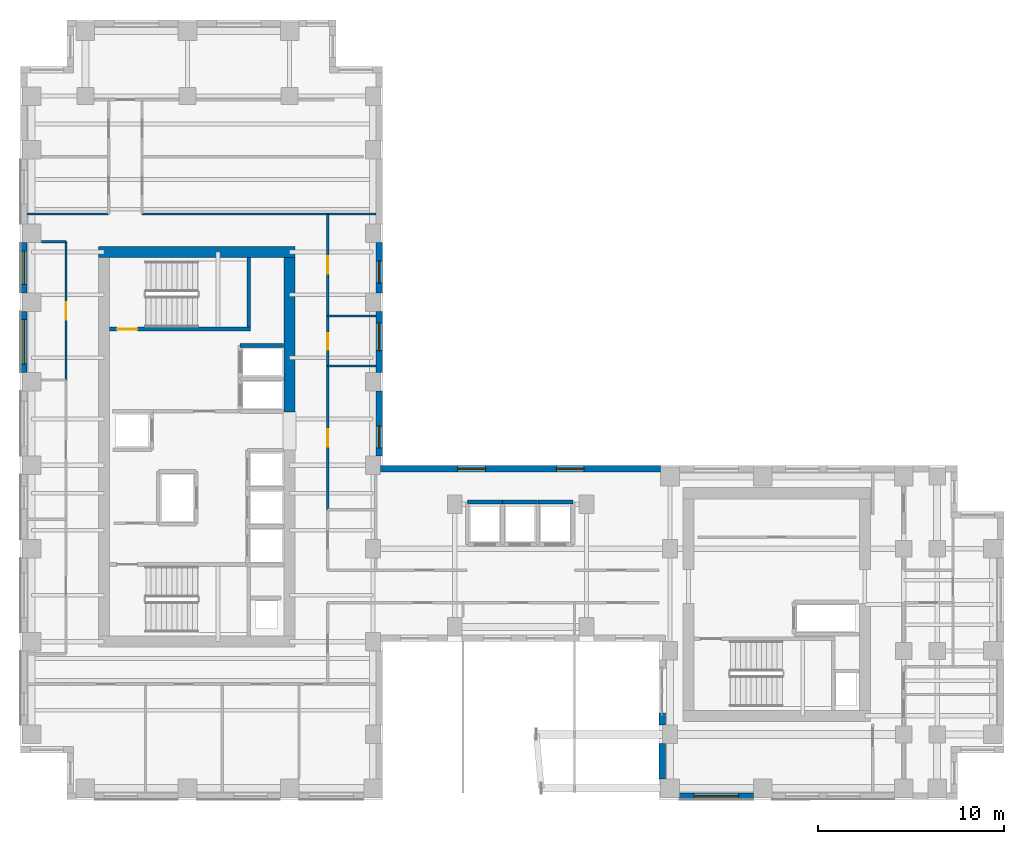
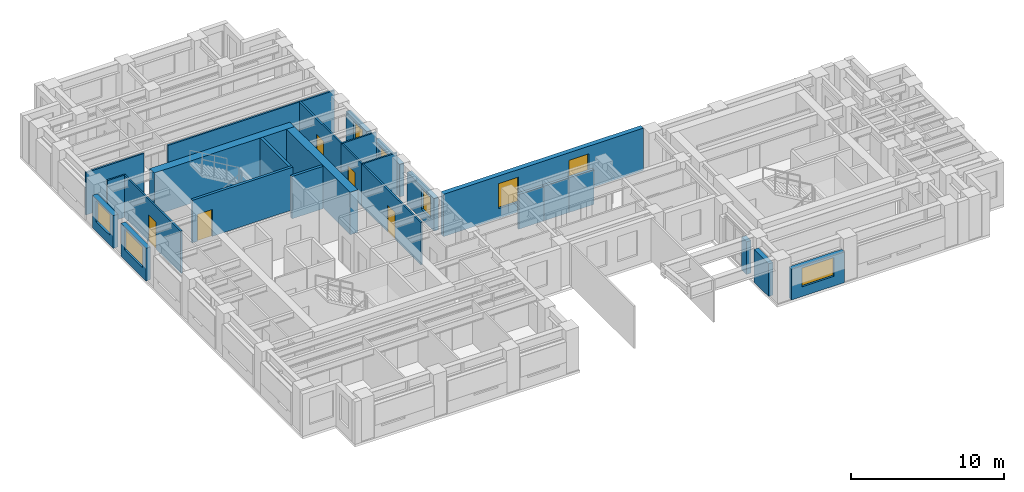
# One storey, part 8 of 13: 26 walls, 8 windows, 5 doors, 13 openings.
"""IFC4 building model written with IfcOpenShell, lengths in metres."""

from ifc_helpers import new_model, si_unit, direction, frame, frame_2d, origin, place, context, subcontext, project, spatial, rectangle, extrude, source, transform, mapped, material, layer, layer_set, type_object, element, fill, save


model = new_model("IFC4")

# Units and contexts
model_context = context("Model", 3, precision=1e-05, world=origin(), true_north=direction((0.0, 1.0)))
body_context = subcontext(model_context, "Body", "Model", "MODEL_VIEW")
ifc_project = project(units=[si_unit("LENGTHUNIT", "METRE"), si_unit("AREAUNIT", "SQUARE_METRE"), si_unit("VOLUMEUNIT", "CUBIC_METRE"), si_unit("PLANEANGLEUNIT", "RADIAN"), si_unit("MASSUNIT", "GRAM", prefix="KILO")], contexts=[model_context])

# Site, building, storey
site_placement = place(None, origin())
site = spatial("IfcSite", under=ifc_project, at=site_placement, CompositionType="ELEMENT")
building_placement = place(site_placement, origin())
building = spatial("IfcBuilding", under=site, at=building_placement, Name="Kharzan Plaza Tower", CompositionType="ELEMENT")
storey_placement = place(building_placement, frame((0.0, 0.0, 189.89990234375)))
storey = spatial("IfcBuildingStorey", under=building, at=storey_placement, Name="L51", CompositionType="ELEMENT", Elevation=189.89990234375)

# Wall, opening, window
ifc_material_1 = material(Name="Concrete C40/50", Category="concrete")
ifc_layer_1 = layer(ifc_material_1, 0.35009765625)
ifc_layer_set_1 = layer_set([ifc_layer_1], Name="Concrete C40/50")
wall_type_1 = type_object("IfcWallType", Name="WL-EXT-MAS-Z3", PredefinedType="SOLIDWALL", material=ifc_layer_set_1)
wall_1_placement = place(storey_placement, frame((0.175048828125, 30.001953125, 0.0), z_axis=(0.0, 0.0, 1.0), x_axis=(0.0, -1.0, 0.0)))
wall_1 = element("IfcWall", 1, at=wall_1_placement, inside=storey, type_object=wall_type_1, Name="L51 Masonry-Frame Exterior Wall 12", PredefinedType="SOLIDWALL", context=body_context, shape_type="SweptSolid", body=[
    extrude(rectangle(XDim=2.703857421875, YDim=0.35009765625, at=frame_2d((1.35205078125, 0.0))), origin(), (0.0, 0.0, 1.0), 2.612060546875),
])
opening_1_placement = place(wall_1_placement, frame((0.451904296875, 0.0, 0.780029296875)))
opening_1 = element("IfcOpeningElement", 2, at=opening_1_placement, cuts=wall_1, Name="Opening W1", PredefinedType="OPENING", context=body_context, shape_type="SweptSolid", body=[
    extrude(rectangle(XDim=1.800048828125, YDim=1.652099609375, at=frame_2d((0.89990234375, 0.826171875))), frame((0.0, 0.18505859375, 0.0), z_axis=(0.0, -1.0, 0.0), x_axis=(1.0, 0.0, 0.0)), (0.0, 0.0, 1.0), 0.3701171875),
])
ifc_material_2 = material(Name="Low-E Double Glazing", Category="glass")
window_type_1 = type_object("IfcWindowType", Name="WN-REC-1800x2100", PartitioningType="SINGLE_PANEL", PredefinedType="WINDOW", material=ifc_material_2)
shared_shape_1 = source(origin(), body_context, "Body", "SweptSolid", [
    extrude(rectangle(XDim=1.800048828125, YDim=1.652099609375, at=frame_2d((0.89990234375, 0.826171875))), frame((0.0, 0.030029296875, 0.0), z_axis=(0.0, -1.0, 0.0), x_axis=(1.0, 0.0, 0.0)), (0.0, 0.0, 1.0), 0.06005859375),
])
window_1_placement = place(opening_1_placement, origin())
window_1 = element("IfcWindow", 3, at=window_1_placement, inside=storey, type_object=window_type_1, Name="L51 Recessed Solar-Control Window 12-1", OverallHeight=1.652099609375, OverallWidth=1.800048828125, PartitioningType="SINGLE_PANEL", PredefinedType="WINDOW", context=body_context, shape_type="MappedRepresentation", body=[
    mapped(shared_shape_1, transform((0.0, 0.0, 0.0), x_axis=(1.0, 0.0, 0.0), y_axis=(0.0, 1.0, 0.0), z_axis=(0.0, 0.0, 1.0))),
])
fill(opening_1, window_1)

wall_2_placement = place(storey_placement, frame((0.175048828125, 26.302001953125, 0.0), z_axis=(0.0, 0.0, 1.0), x_axis=(0.0, -1.0, 0.0)))
wall_2 = element("IfcWall", 4, at=wall_2_placement, inside=storey, type_object=wall_type_1, Name="L51 Masonry-Frame Exterior Wall 13", PredefinedType="SOLIDWALL", context=body_context, shape_type="SweptSolid", body=[
    extrude(rectangle(XDim=3.303955078125, YDim=0.35009765625, at=frame_2d((1.65185546875, 0.0))), origin(), (0.0, 0.0, 1.0), 2.612060546875),
])
opening_2_placement = place(wall_2_placement, frame((0.451904296875, 0.0, 0.780029296875)))
opening_2 = element("IfcOpeningElement", 5, at=opening_2_placement, cuts=wall_2, Name="Opening W2", PredefinedType="OPENING", context=body_context, shape_type="SweptSolid", body=[
    extrude(rectangle(XDim=2.39990234375, YDim=1.652099609375, at=frame_2d((1.199951171875, 0.826171875))), frame((0.0, 0.18505859375, 0.0), z_axis=(0.0, -1.0, 0.0), x_axis=(1.0, 0.0, 0.0)), (0.0, 0.0, 1.0), 0.3701171875),
])
window_type_2 = type_object("IfcWindowType", Name="WN-REC-2400x2100", PartitioningType="SINGLE_PANEL", PredefinedType="WINDOW", material=ifc_material_2)
shared_shape_2 = source(origin(), body_context, "Body", "SweptSolid", [
    extrude(rectangle(XDim=2.39990234375, YDim=1.652099609375, at=frame_2d((1.199951171875, 0.826171875))), frame((0.0, 0.030029296875, 0.0), z_axis=(0.0, -1.0, 0.0), x_axis=(1.0, 0.0, 0.0)), (0.0, 0.0, 1.0), 0.06005859375),
])
window_2_placement = place(opening_2_placement, origin())
window_2 = element("IfcWindow", 6, at=window_2_placement, inside=storey, type_object=window_type_2, Name="L51 Wide Recessed Solar-Control Window 13-1", OverallHeight=1.652099609375, OverallWidth=2.39990234375, PartitioningType="SINGLE_PANEL", PredefinedType="WINDOW", context=body_context, shape_type="MappedRepresentation", body=[
    mapped(shared_shape_2, transform((0.0, 0.0, 0.0), x_axis=(1.0, 0.0, 0.0), y_axis=(0.0, 1.0, 0.0), z_axis=(0.0, 0.0, 1.0))),
])
fill(opening_2, window_2)

wall_3_placement = place(storey_placement, frame((35.498046875, 0.175048828125, 0.0), z_axis=(0.0, 0.0, 1.0), x_axis=(1.0, 0.0, 0.0)))
wall_3 = element("IfcWall", 7, at=wall_3_placement, inside=storey, type_object=wall_type_1, Name="L51 Masonry-Frame Exterior Wall 32", PredefinedType="SOLIDWALL", context=body_context, shape_type="SweptSolid", body=[
    extrude(rectangle(XDim=4.00390625, YDim=0.35009765625, at=frame_2d((2.001953125, 0.0))), origin(), (0.0, 0.0, 1.0), 2.447998046875),
])
opening_3_placement = place(wall_3_placement, frame((0.802001953125, 0.0, 0.780029296875)))
opening_3 = element("IfcOpeningElement", 8, at=opening_3_placement, cuts=wall_3, Name="Opening W2", PredefinedType="OPENING", context=body_context, shape_type="SweptSolid", body=[
    extrude(rectangle(XDim=2.39990234375, YDim=1.488037109375, at=frame_2d((1.199951171875, 0.744140625))), frame((0.0, 0.18505859375, 0.0), z_axis=(0.0, -1.0, 0.0), x_axis=(1.0, 0.0, 0.0)), (0.0, 0.0, 1.0), 0.3701171875),
])
shared_shape_3 = source(origin(), body_context, "Body", "SweptSolid", [
    extrude(rectangle(XDim=2.39990234375, YDim=1.488037109375, at=frame_2d((1.199951171875, 0.744140625))), frame((0.0, 0.030029296875, 0.0), z_axis=(0.0, -1.0, 0.0), x_axis=(1.0, 0.0, 0.0)), (0.0, 0.0, 1.0), 0.06005859375),
])
window_3_placement = place(opening_3_placement, origin())
window_3 = element("IfcWindow", 9, at=window_3_placement, inside=storey, type_object=window_type_2, Name="L51 Wide Recessed Solar-Control Window 32-1", OverallHeight=1.488037109375, OverallWidth=2.39990234375, PartitioningType="SINGLE_PANEL", PredefinedType="WINDOW", context=body_context, shape_type="MappedRepresentation", body=[
    mapped(shared_shape_3, transform((0.0, 0.0, 0.0), x_axis=(1.0, 0.0, 0.0), y_axis=(0.0, 1.0, 0.0), z_axis=(0.0, 0.0, 1.0))),
])
fill(opening_3, window_3)

# Wall, openings, windows
wall_4_placement = place(storey_placement, frame((34.501953125, 17.824951171875, 0.0), z_axis=(0.0, 0.0, 1.0), x_axis=(-1.0, 0.0, 0.0)))
wall_4 = element("IfcWall", 10, at=wall_4_placement, inside=storey, type_object=wall_type_1, Name="L51 Masonry-Frame Exterior Wall 47", PredefinedType="SOLIDWALL", context=body_context, shape_type="SweptSolid", body=[
    extrude(rectangle(XDim=15.10400390625, YDim=0.35009765625, at=frame_2d((7.552001953125, 0.0))), origin(), (0.0, 0.0, 1.0), 3.385009765625),
])
opening_4_placement = place(wall_4_placement, frame((4.131103515625, 0.0, 0.780029296875)))
opening_4 = element("IfcOpeningElement", 11, at=opening_4_placement, cuts=wall_4, Name="Opening W5", PredefinedType="OPENING", context=body_context, shape_type="SweptSolid", body=[
    extrude(rectangle(XDim=1.5, YDim=2.0, at=frame_2d((0.75, 1.0))), frame((0.0, 0.18505859375, 0.0), z_axis=(0.0, -1.0, 0.0), x_axis=(1.0, 0.0, 0.0)), (0.0, 0.0, 1.0), 0.3701171875),
])
opening_5_placement = place(wall_4_placement, frame((9.4423828125, 0.0, 0.780029296875)))
opening_5 = element("IfcOpeningElement", 12, at=opening_5_placement, cuts=wall_4, Name="Opening W5", PredefinedType="OPENING", context=body_context, shape_type="SweptSolid", body=[
    extrude(rectangle(XDim=1.5, YDim=2.0, at=frame_2d((0.75, 1.0))), frame((0.0, 0.18505859375, 0.0), z_axis=(0.0, -1.0, 0.0), x_axis=(1.0, 0.0, 0.0)), (0.0, 0.0, 1.0), 0.3701171875),
])
window_type_3 = type_object("IfcWindowType", Name="WN-SLT-1500x2000", PartitioningType="SINGLE_PANEL", PredefinedType="WINDOW", material=ifc_material_2)
shared_shape_4 = source(origin(), body_context, "Body", "SweptSolid", [
    extrude(rectangle(XDim=1.5, YDim=2.0, at=frame_2d((0.75, 1.0))), frame((0.0, 0.030029296875, 0.0), z_axis=(0.0, -1.0, 0.0), x_axis=(1.0, 0.0, 0.0)), (0.0, 0.0, 1.0), 0.06005859375),
])
window_4_placement = place(opening_4_placement, origin())
window_4 = element("IfcWindow", 13, at=window_4_placement, inside=storey, type_object=window_type_3, Name="L51 Recessed Solar-Control Window 47-1", OverallHeight=2.0, OverallWidth=1.5, PartitioningType="SINGLE_PANEL", PredefinedType="WINDOW", context=body_context, shape_type="MappedRepresentation", body=[
    mapped(shared_shape_4, transform((0.0, 0.0, 0.0), x_axis=(1.0, 0.0, 0.0), y_axis=(0.0, 1.0, 0.0), z_axis=(0.0, 0.0, 1.0))),
])
fill(opening_4, window_4)
window_5_placement = place(opening_5_placement, origin())
window_5 = element("IfcWindow", 14, at=window_5_placement, inside=storey, type_object=window_type_3, Name="L51 Recessed Solar-Control Window 47-2", OverallHeight=2.0, OverallWidth=1.5, PartitioningType="SINGLE_PANEL", PredefinedType="WINDOW", context=body_context, shape_type="MappedRepresentation", body=[
    mapped(shared_shape_4, transform((0.0, 0.0, 0.0), x_axis=(1.0, 0.0, 0.0), y_axis=(0.0, 1.0, 0.0), z_axis=(0.0, 0.0, 1.0))),
])
fill(opening_5, window_5)

# Wall, opening, window
wall_5_placement = place(storey_placement, frame((19.324951171875, 18.498046875, 0.0), z_axis=(0.0, 0.0, 1.0), x_axis=(0.0, 1.0, 0.0)))
wall_5 = element("IfcWall", 15, at=wall_5_placement, inside=storey, type_object=wall_type_1, Name="L51 Masonry-Frame Exterior Wall 48", PredefinedType="SOLIDWALL", context=body_context, shape_type="SweptSolid", body=[
    extrude(rectangle(XDim=3.50390625, YDim=0.35009765625, at=frame_2d((1.751953125, 0.0))), origin(), (0.0, 0.0, 1.0), 2.612060546875),
])
opening_6_placement = place(wall_5_placement, frame((0.4326171875, 0.0, 0.780029296875)))
opening_6 = element("IfcOpeningElement", 16, at=opening_6_placement, cuts=wall_5, Name="Opening W3", PredefinedType="OPENING", context=body_context, shape_type="SweptSolid", body=[
    extrude(rectangle(XDim=1.199951171875, YDim=1.652099609375, at=frame_2d((0.60009765625, 0.826171875))), frame((0.0, 0.18505859375, 0.0), z_axis=(0.0, -1.0, 0.0), x_axis=(1.0, 0.0, 0.0)), (0.0, 0.0, 1.0), 0.3701171875),
])
window_type_4 = type_object("IfcWindowType", Name="WN-REC-1200x2100", PartitioningType="SINGLE_PANEL", PredefinedType="WINDOW", material=ifc_material_2)
shared_shape_5 = source(origin(), body_context, "Body", "SweptSolid", [
    extrude(rectangle(XDim=1.199951171875, YDim=1.652099609375, at=frame_2d((0.60009765625, 0.826171875))), frame((0.0, 0.030029296875, 0.0), z_axis=(0.0, -1.0, 0.0), x_axis=(1.0, 0.0, 0.0)), (0.0, 0.0, 1.0), 0.06005859375),
])
window_6_placement = place(opening_6_placement, origin())
window_6 = element("IfcWindow", 17, at=window_6_placement, inside=storey, type_object=window_type_4, Name="L51 Recessed Solar-Control Window 48-1", OverallHeight=1.652099609375, OverallWidth=1.199951171875, PartitioningType="SINGLE_PANEL", PredefinedType="WINDOW", context=body_context, shape_type="MappedRepresentation", body=[
    mapped(shared_shape_5, transform((0.0, 0.0, 0.0), x_axis=(1.0, 0.0, 0.0), y_axis=(0.0, 1.0, 0.0), z_axis=(0.0, 0.0, 1.0))),
])
fill(opening_6, window_6)

wall_6_placement = place(storey_placement, frame((19.324951171875, 22.998046875, 0.0), z_axis=(0.0, 0.0, 1.0), x_axis=(0.0, 1.0, 0.0)))
wall_6 = element("IfcWall", 18, at=wall_6_placement, inside=storey, type_object=wall_type_1, Name="L51 Masonry-Frame Exterior Wall 49", PredefinedType="SOLIDWALL", context=body_context, shape_type="SweptSolid", body=[
    extrude(rectangle(XDim=3.303955078125, YDim=0.35009765625, at=frame_2d((1.65185546875, 0.0))), origin(), (0.0, 0.0, 1.0), 2.612060546875),
])
opening_7_placement = place(wall_6_placement, frame((1.180419921875, 0.0, 0.780029296875)))
opening_7 = element("IfcOpeningElement", 19, at=opening_7_placement, cuts=wall_6, Name="Opening W5", PredefinedType="OPENING", context=body_context, shape_type="SweptSolid", body=[
    extrude(rectangle(XDim=1.5, YDim=1.652099609375, at=frame_2d((0.75, 0.826171875))), frame((0.0, 0.18505859375, 0.0), z_axis=(0.0, -1.0, 0.0), x_axis=(1.0, 0.0, 0.0)), (0.0, 0.0, 1.0), 0.3701171875),
])
shared_shape_6 = source(origin(), body_context, "Body", "SweptSolid", [
    extrude(rectangle(XDim=1.5, YDim=1.652099609375, at=frame_2d((0.75, 0.826171875))), frame((0.0, 0.030029296875, 0.0), z_axis=(0.0, -1.0, 0.0), x_axis=(1.0, 0.0, 0.0)), (0.0, 0.0, 1.0), 0.06005859375),
])
window_7_placement = place(opening_7_placement, origin())
window_7 = element("IfcWindow", 20, at=window_7_placement, inside=storey, type_object=window_type_3, Name="L51 Recessed Solar-Control Window 49-1", OverallHeight=1.652099609375, OverallWidth=1.5, PartitioningType="SINGLE_PANEL", PredefinedType="WINDOW", context=body_context, shape_type="MappedRepresentation", body=[
    mapped(shared_shape_6, transform((0.0, 0.0, 0.0), x_axis=(1.0, 0.0, 0.0), y_axis=(0.0, 1.0, 0.0), z_axis=(0.0, 0.0, 1.0))),
])
fill(opening_7, window_7)

wall_7_placement = place(storey_placement, frame((19.324951171875, 27.298095703125, 0.0), z_axis=(0.0, 0.0, 1.0), x_axis=(0.0, 1.0, 0.0)))
wall_7 = element("IfcWall", 21, at=wall_7_placement, inside=storey, type_object=wall_type_1, Name="L51 Masonry-Frame Exterior Wall 50", PredefinedType="SOLIDWALL", context=body_context, shape_type="SweptSolid", body=[
    extrude(rectangle(XDim=2.703857421875, YDim=0.35009765625, at=frame_2d((1.35205078125, 0.0))), origin(), (0.0, 0.0, 1.0), 2.612060546875),
])
opening_8_placement = place(wall_7_placement, frame((0.523681640625, 0.0, 0.780029296875)))
opening_8 = element("IfcOpeningElement", 22, at=opening_8_placement, cuts=wall_7, Name="Opening W3", PredefinedType="OPENING", context=body_context, shape_type="SweptSolid", body=[
    extrude(rectangle(XDim=1.199951171875, YDim=1.652099609375, at=frame_2d((0.60009765625, 0.826171875))), frame((0.0, 0.18505859375, 0.0), z_axis=(0.0, -1.0, 0.0), x_axis=(1.0, 0.0, 0.0)), (0.0, 0.0, 1.0), 0.3701171875),
])
window_8_placement = place(opening_8_placement, origin())
window_8 = element("IfcWindow", 23, at=window_8_placement, inside=storey, type_object=window_type_4, Name="L51 Recessed Solar-Control Window 50-1", OverallHeight=1.652099609375, OverallWidth=1.199951171875, PartitioningType="SINGLE_PANEL", PredefinedType="WINDOW", context=body_context, shape_type="MappedRepresentation", body=[
    mapped(shared_shape_5, transform((0.0, 0.0, 0.0), x_axis=(1.0, 0.0, 0.0), y_axis=(0.0, 1.0, 0.0), z_axis=(0.0, 0.0, 1.0))),
])
fill(opening_8, window_8)

# Wall, opening, door
ifc_material_3 = material(Name="Fire-Rated Gypsum Board Partition", Category="gypsum")
ifc_layer_2 = layer(ifc_material_3, 0.125)
ifc_layer_set_2 = layer_set([ifc_layer_2], Name="Fire-Rated Gypsum Board Partition")
wall_type_2 = type_object("IfcWallType", Name="WL-INT-PART-125", PredefinedType="PARTITIONING", material=ifc_layer_set_2)
wall_8_placement = place(storey_placement, frame((16.550048828125, 15.60009765625, 0.0), z_axis=(0.0, 0.0, 1.0), x_axis=(0.0, 1.0, 0.0)))
wall_8 = element("IfcWall", 24, at=wall_8_placement, inside=storey, type_object=wall_type_2, Name="L51 Interior Partition SH-AEWN2", PredefinedType="PARTITIONING", context=body_context, shape_type="SweptSolid", body=[
    extrude(rectangle(XDim=7.75, YDim=0.125, at=frame_2d((3.875, 0.0))), origin(), (0.0, 0.0, 1.0), 3.385009765625),
])
opening_9_placement = place(wall_8_placement, frame((3.39990234375, 0.0, 0.0)))
opening_9 = element("IfcOpeningElement", 25, at=opening_9_placement, cuts=wall_8, Name="Opening OD1", PredefinedType="OPENING", context=body_context, shape_type="SweptSolid", body=[
    extrude(rectangle(XDim=0.949951171875, YDim=2.14990234375, at=frame_2d((0.47509765625, 1.074951171875))), frame((0.0, 0.072509765625, 0.0), z_axis=(0.0, -1.0, 0.0), x_axis=(1.0, 0.0, 0.0)), (0.0, 0.0, 1.0), 0.14501953125),
])
ifc_material_4 = material(Name="Acoustic Solid-Core Stained Oak", Category="timber")
door_type_1 = type_object("IfcDoorType", Name="DR-OFF-SINGLE", OperationType="NOTDEFINED", PredefinedType="DOOR", material=ifc_material_4)
shared_shape_7 = source(origin(), body_context, "Body", "SweptSolid", [
    extrude(rectangle(XDim=0.949951171875, YDim=2.14990234375, at=frame_2d((0.47509765625, 1.074951171875))), frame((0.0, 0.02490234375, 0.0), z_axis=(0.0, -1.0, 0.0), x_axis=(1.0, 0.0, 0.0)), (0.0, 0.0, 1.0), 0.050048828125),
])
door_1_placement = place(opening_9_placement, origin())
door_1 = element("IfcDoor", 26, at=door_1_placement, inside=storey, type_object=door_type_1, Name="L51 Slot Studio Door", OperationType="SINGLE_SWING_RIGHT", OverallHeight=2.14990234375, OverallWidth=0.949951171875, PredefinedType="DOOR", context=body_context, shape_type="MappedRepresentation", body=[
    mapped(shared_shape_7, transform((0.0, 0.0, 0.0), x_axis=(1.0, 0.0, 0.0), y_axis=(0.0, 1.0, 0.0), z_axis=(0.0, 0.0, 1.0))),
])
fill(opening_9, door_1)

wall_9_placement = place(storey_placement, frame((16.550048828125, 26.050048828125, 0.0), z_axis=(0.0, 0.0, 1.0), x_axis=(0.0, 1.0, 0.0)))
wall_9 = element("IfcWall", 27, at=wall_9_placement, inside=storey, type_object=wall_type_2, Name="L51 Interior Partition SH-AEWN3", PredefinedType="PARTITIONING", context=body_context, shape_type="SweptSolid", body=[
    extrude(rectangle(XDim=5.5, YDim=0.125, at=frame_2d((2.75, 0.0))), origin(), (0.0, 0.0, 1.0), 3.385009765625),
])
opening_10_placement = place(wall_9_placement, frame((2.27490234375, 0.0, 0.0)))
opening_10 = element("IfcOpeningElement", 28, at=opening_10_placement, cuts=wall_9, Name="Opening OD1", PredefinedType="OPENING", context=body_context, shape_type="SweptSolid", body=[
    extrude(rectangle(XDim=0.949951171875, YDim=2.14990234375, at=frame_2d((0.47509765625, 1.074951171875))), frame((0.0, 0.072509765625, 0.0), z_axis=(0.0, -1.0, 0.0), x_axis=(1.0, 0.0, 0.0)), (0.0, 0.0, 1.0), 0.14501953125),
])
door_2_placement = place(opening_10_placement, origin())
door_2 = element("IfcDoor", 29, at=door_2_placement, inside=storey, type_object=door_type_1, Name="L51 Staff Tea Point Door", OperationType="SINGLE_SWING_RIGHT", OverallHeight=2.14990234375, OverallWidth=0.949951171875, PredefinedType="DOOR", context=body_context, shape_type="MappedRepresentation", body=[
    mapped(shared_shape_7, transform((0.0, 0.0, 0.0), x_axis=(1.0, 0.0, 0.0), y_axis=(0.0, 1.0, 0.0), z_axis=(0.0, 0.0, 1.0))),
])
fill(opening_10, door_2)

wall_10_placement = place(storey_placement, frame((16.550048828125, 23.35009765625, 0.0), z_axis=(0.0, 0.0, 1.0), x_axis=(0.0, 1.0, 0.0)))
wall_10 = element("IfcWall", 30, at=wall_10_placement, inside=storey, type_object=wall_type_2, Name="L51 Interior Partition SH-AEWW", PredefinedType="PARTITIONING", context=body_context, shape_type="SweptSolid", body=[
    extrude(rectangle(XDim=2.699951171875, YDim=0.125, at=frame_2d((1.35009765625, 0.0))), origin(), (0.0, 0.0, 1.0), 3.385009765625),
])
opening_11_placement = place(wall_10_placement, frame((0.875, 0.0, 0.0)))
opening_11 = element("IfcOpeningElement", 31, at=opening_11_placement, cuts=wall_10, Name="Opening WD1", PredefinedType="OPENING", context=body_context, shape_type="SweptSolid", body=[
    extrude(rectangle(XDim=0.89990234375, YDim=2.14990234375, at=frame_2d((0.449951171875, 1.074951171875))), frame((0.0, 0.072509765625, 0.0), z_axis=(0.0, -1.0, 0.0), x_axis=(1.0, 0.0, 0.0)), (0.0, 0.0, 1.0), 0.14501953125),
])
ifc_material_5 = material(Name="Moisture-Resistant Fire-Rated Laminate", Category="timber")
door_type_2 = type_object("IfcDoorType", Name="DR-WC-900", OperationType="NOTDEFINED", PredefinedType="DOOR", material=ifc_material_5)
shared_shape_8 = source(origin(), body_context, "Body", "SweptSolid", [
    extrude(rectangle(XDim=0.89990234375, YDim=2.14990234375, at=frame_2d((0.449951171875, 1.074951171875))), frame((0.0, 0.02490234375, 0.0), z_axis=(0.0, -1.0, 0.0), x_axis=(1.0, 0.0, 0.0)), (0.0, 0.0, 1.0), 0.050048828125),
])
door_3_placement = place(opening_11_placement, origin())
door_3 = element("IfcDoor", 32, at=door_3_placement, inside=storey, type_object=door_type_2, Name="L51 Wing A Washroom Door", OperationType="SINGLE_SWING_LEFT", OverallHeight=2.14990234375, OverallWidth=0.89990234375, PredefinedType="DOOR", context=body_context, shape_type="MappedRepresentation", body=[
    mapped(shared_shape_8, transform((0.0, 0.0, 0.0), x_axis=(1.0, 0.0, 0.0), y_axis=(0.0, 1.0, 0.0), z_axis=(0.0, 0.0, 1.0))),
])
fill(opening_11, door_3)

wall_11_placement = place(storey_placement, frame((2.449951171875, 22.60009765625, 0.0), z_axis=(0.0, 0.0, 1.0), x_axis=(0.0, 1.0, 0.0)))
wall_11 = element("IfcWall", 33, at=wall_11_placement, inside=storey, type_object=wall_type_2, Name="L51 Interior Partition SH-WW-3", PredefinedType="PARTITIONING", context=body_context, shape_type="SweptSolid", body=[
    extrude(rectangle(XDim=7.449951171875, YDim=0.125, at=frame_2d((3.72509765625, 0.0))), origin(), (0.0, 0.0, 1.0), 3.385009765625),
])
opening_12_placement = place(wall_11_placement, frame((3.25, 0.0, 0.0)))
opening_12 = element("IfcOpeningElement", 34, at=opening_12_placement, cuts=wall_11, Name="Opening OD1", PredefinedType="OPENING", context=body_context, shape_type="SweptSolid", body=[
    extrude(rectangle(XDim=0.949951171875, YDim=2.14990234375, at=frame_2d((0.47509765625, 1.074951171875))), frame((0.0, 0.072509765625, 0.0), z_axis=(0.0, -1.0, 0.0), x_axis=(1.0, 0.0, 0.0)), (0.0, 0.0, 1.0), 0.14501953125),
])
door_4_placement = place(opening_12_placement, origin())
door_4 = element("IfcDoor", 35, at=door_4_placement, inside=storey, type_object=door_type_1, Name="L51 Staff Tea Pantry Door", OperationType="SINGLE_SWING_RIGHT", OverallHeight=2.14990234375, OverallWidth=0.949951171875, PredefinedType="DOOR", context=body_context, shape_type="MappedRepresentation", body=[
    mapped(shared_shape_7, transform((0.0, 0.0, 0.0), x_axis=(1.0, 0.0, 0.0), y_axis=(0.0, 1.0, 0.0), z_axis=(0.0, 0.0, 1.0))),
])
fill(opening_12, door_4)

ifc_material_6 = material(Name="Concrete C50/60", Category="concrete")
ifc_layer_3 = layer(ifc_material_6, 0.199951171875)
ifc_layer_set_3 = layer_set([ifc_layer_3], Name="Concrete C50/60")
wall_type_3 = type_object("IfcWallType", Name="WL-SHAFT-RC200", PredefinedType="SHEAR", material=ifc_layer_set_3)
wall_12_placement = place(storey_placement, frame((4.802001953125, 25.344970703125, 0.0), z_axis=(0.0, 0.0, 1.0), x_axis=(1.0, 0.0, 0.0)))
wall_12 = element("IfcWall", 36, at=wall_12_placement, inside=storey, type_object=wall_type_3, Name="L51 Stair ST-2 South RC Shaft Wall", PredefinedType="SHEAR", context=body_context, shape_type="SweptSolid", body=[
    extrude(rectangle(XDim=7.60302734375, YDim=0.199951171875, at=frame_2d((3.801513671875, 0.0))), origin(), (0.0, 0.0, 1.0), 3.400146484375),
])
opening_13_placement = place(wall_12_placement, frame((0.39990234375, 0.0, 0.0)))
opening_13 = element("IfcOpeningElement", 37, at=opening_13_placement, cuts=wall_12, Name="Opening SD1", PredefinedType="OPENING", context=body_context, shape_type="SweptSolid", body=[
    extrude(rectangle(XDim=1.10009765625, YDim=2.14990234375, at=frame_2d((0.550048828125, 1.074951171875))), frame((0.0, 0.10986328125, 0.0), z_axis=(0.0, -1.0, 0.0), x_axis=(1.0, 0.0, 0.0)), (0.0, 0.0, 1.0), 0.219970703125),
])
ifc_material_7 = material(Name="Fire-Rated Hollow Galvanized Steel", Category="steel")
door_type_3 = type_object("IfcDoorType", Name="DR-STAIR-FD120", OperationType="NOTDEFINED", PredefinedType="DOOR", material=ifc_material_7)
shared_shape_9 = source(origin(), body_context, "Body", "SweptSolid", [
    extrude(rectangle(XDim=1.10009765625, YDim=2.14990234375, at=frame_2d((0.550048828125, 1.074951171875))), frame((0.0, 0.02490234375, 0.0), z_axis=(0.0, -1.0, 0.0), x_axis=(1.0, 0.0, 0.0)), (0.0, 0.0, 1.0), 0.050048828125),
])
door_5_placement = place(opening_13_placement, origin())
door_5 = element("IfcDoor", 38, at=door_5_placement, inside=storey, type_object=door_type_3, Name="L51 Stair ST-2 Fire Exit Door", OperationType="SINGLE_SWING_LEFT", OverallHeight=2.14990234375, OverallWidth=1.10009765625, PredefinedType="DOOR", context=body_context, shape_type="MappedRepresentation", body=[
    mapped(shared_shape_9, transform((0.0, 0.0, 0.0), x_axis=(1.0, 0.0, 0.0), y_axis=(0.0, 1.0, 0.0), z_axis=(0.0, 0.0, 1.0))),
])
fill(opening_13, door_5)

# Walls
ifc_layer_4 = layer(ifc_material_1, 0.199951171875)
ifc_layer_set_4 = layer_set([ifc_layer_4], Name="Concrete C40/50")
wall_type_4 = type_object("IfcWallType", Name="WL-INT-SHAFT-200", PredefinedType="PARTITIONING", material=ifc_layer_set_4)
shared_shape_10 = source(origin(), body_context, "Body", "SweptSolid", [
    extrude(rectangle(XDim=2.33984375, YDim=0.199951171875, at=frame_2d((1.169921875, 0.0))), origin(), (0.0, 0.0, 1.0), 3.385009765625),
])
wall_13_placement = place(storey_placement, frame((11.830078125, 24.4599609375, 0.0), z_axis=(0.0, 0.0, 1.0), x_axis=(1.0, 0.0, 0.0)))
element("IfcWall", 39, at=wall_13_placement, inside=storey, type_object=wall_type_4, Name="L51 Interior Partition SHF-FFL-2-N", PredefinedType="PARTITIONING", context=body_context, shape_type="MappedRepresentation", body=[
    mapped(shared_shape_10, transform((0.0, 0.0, 0.0), x_axis=(1.0, 0.0, 0.0), y_axis=(0.0, 1.0, 0.0), z_axis=(0.0, 0.0, 1.0))),
])
ifc_layer_5 = layer(ifc_material_6, 0.60009765625)
ifc_layer_set_5 = layer_set([ifc_layer_5], Name="Concrete C50/60")
wall_type_5 = type_object("IfcWallType", Name="WL-CORE-600", PredefinedType="SHEAR", material=ifc_layer_set_5)
shared_shape_11 = source(origin(), body_context, "Body", "SweptSolid", [
    extrude(rectangle(XDim=8.320068359375, YDim=0.60009765625, at=frame_2d((4.16015625, 0.0))), origin(), (0.0, 0.0, 1.0), 3.400146484375),
])
wall_14_placement = place(storey_placement, frame((14.5, 20.8798828125, 0.0), z_axis=(0.0, 0.0, 1.0), x_axis=(0.0, 1.0, 0.0)))
element("IfcWall", 40, at=wall_14_placement, inside=storey, type_object=wall_type_5, Name="L51 CORE-A east shear pier 2", PredefinedType="SHEAR", context=body_context, shape_type="MappedRepresentation", body=[
    mapped(shared_shape_11, transform((0.0, 0.0, 0.0), x_axis=(1.0, 0.0, 0.0), y_axis=(0.0, 1.0, 0.0), z_axis=(0.0, 0.0, 1.0))),
])
shared_shape_12 = source(origin(), body_context, "Body", "SweptSolid", [
    extrude(rectangle(XDim=10.60009765625, YDim=0.60009765625, at=frame_2d((5.300048828125, 0.0))), origin(), (0.0, 0.0, 1.0), 3.400146484375),
])
wall_15_placement = place(storey_placement, frame((4.199951171875, 29.5, 0.0), z_axis=(0.0, 0.0, 1.0), x_axis=(1.0, 0.0, 0.0)))
element("IfcWall", 41, at=wall_15_placement, inside=storey, type_object=wall_type_5, Name="L51 CORE-A north RC shear wall", PredefinedType="SHEAR", context=body_context, shape_type="MappedRepresentation", body=[
    mapped(shared_shape_12, transform((0.0, 0.0, 0.0), x_axis=(1.0, 0.0, 0.0), y_axis=(0.0, 1.0, 0.0), z_axis=(0.0, 0.0, 1.0))),
])
shared_shape_13 = source(origin(), body_context, "Body", "SweptSolid", [
    extrude(rectangle(XDim=1.904052734375, YDim=0.35009765625, at=frame_2d((0.9521484375, 0.0))), origin(), (0.0, 0.0, 1.0), 2.612060546875),
])
wall_16_placement = place(storey_placement, frame((34.574951171875, 3.001953125, 0.0), z_axis=(0.0, 0.0, 1.0), x_axis=(0.0, -1.0, 0.0)))
element("IfcWall", 42, at=wall_16_placement, inside=storey, type_object=wall_type_1, Name="L51 Masonry-Frame Exterior Wall 31", PredefinedType="SOLIDWALL", context=body_context, shape_type="MappedRepresentation", body=[
    mapped(shared_shape_13, transform((0.0, 0.0, 0.0), x_axis=(1.0, 0.0, 0.0), y_axis=(0.0, 1.0, 0.0), z_axis=(0.0, 0.0, 1.0))),
])
shared_shape_14 = source(origin(), body_context, "Body", "SweptSolid", [
    extrude(rectangle(XDim=2.597900390625, YDim=0.125, at=frame_2d((1.298828125, 0.0))), origin(), (0.0, 0.0, 1.0), 3.385009765625),
])
for number, where, z_axis, x_axis, name in (
    (43, (16.550048828125, 23.35009765625, 0.0), (0.0, 0.0, 1.0), (1.0, 0.0, 0.0), "L51 Interior Partition SH-AEH-233"),
    (44, (16.550048828125, 26.050048828125, 0.0), (0.0, 0.0, 1.0), (1.0, 0.0, 0.0), "L51 Interior Partition SH-AEH-260"),
):
    element("IfcWall", number, at=place(storey_placement, frame(where, z_axis=z_axis, x_axis=x_axis)), inside=storey, type_object=wall_type_2, Name=name, PredefinedType="PARTITIONING", context=body_context, shape_type="MappedRepresentation", body=[
        mapped(shared_shape_14, transform((0.0, 0.0, 0.0), x_axis=(1.0, 0.0, 0.0), y_axis=(0.0, 1.0, 0.0), z_axis=(0.0, 0.0, 1.0))),
    ])
shared_shape_15 = source(origin(), body_context, "Body", "SweptSolid", [
    extrude(rectangle(XDim=1.329833984375, YDim=0.125, at=frame_2d((0.6650390625, 0.0))), origin(), (0.0, 0.0, 1.0), 3.385009765625),
])
wall_17_placement = place(storey_placement, frame((1.1201171875, 30.050048828125, 0.0), z_axis=(0.0, 0.0, 1.0), x_axis=(1.0, 0.0, 0.0)))
element("IfcWall", 45, at=wall_17_placement, inside=storey, type_object=wall_type_2, Name="L51 Interior Partition SH-RWN0", PredefinedType="PARTITIONING", context=body_context, shape_type="MappedRepresentation", body=[
    mapped(shared_shape_15, transform((0.0, 0.0, 0.0), x_axis=(1.0, 0.0, 0.0), y_axis=(0.0, 1.0, 0.0), z_axis=(0.0, 0.0, 1.0))),
])
shared_shape_16 = source(origin(), body_context, "Body", "SweptSolid", [
    extrude(rectangle(XDim=3.7529296875, YDim=0.199951171875, at=frame_2d((1.87646484375, 0.0))), origin(), (0.0, 0.0, 1.0), 3.400146484375),
])
wall_18_placement = place(storey_placement, frame((12.304931640625, 25.445068359375, 0.0), z_axis=(0.0, 0.0, 1.0), x_axis=(0.0, 1.0, 0.0)))
element("IfcWall", 46, at=wall_18_placement, inside=storey, type_object=wall_type_3, Name="L51 Stair ST-2 East RC Shaft Wall", PredefinedType="SHEAR", context=body_context, shape_type="MappedRepresentation", body=[
    mapped(shared_shape_16, transform((0.0, 0.0, 0.0), x_axis=(1.0, 0.0, 0.0), y_axis=(0.0, 1.0, 0.0), z_axis=(0.0, 0.0, 1.0))),
])
shared_shape_17 = source(origin(), body_context, "Body", "SweptSolid", [
    extrude(rectangle(XDim=1.889892578125, YDim=0.199951171875, at=frame_2d((0.94482421875, 0.0))), origin(), (0.0, 0.0, 1.0), 2.773193359375),
])
wall_19_placement = place(storey_placement, frame((24.080078125, 16.02001953125, 0.0), z_axis=(0.0, 0.0, 1.0), x_axis=(1.0, 0.0, 0.0)))
element("IfcWall", 47, at=wall_19_placement, inside=storey, type_object=wall_type_4, Name="L51 Interior Partition SHF-PL-M1-N", PredefinedType="PARTITIONING", context=body_context, shape_type="MappedRepresentation", body=[
    mapped(shared_shape_17, transform((0.0, 0.0, 0.0), x_axis=(1.0, 0.0, 0.0), y_axis=(0.0, 1.0, 0.0), z_axis=(0.0, 0.0, 1.0))),
])
shared_shape_18 = source(origin(), body_context, "Body", "SweptSolid", [
    extrude(rectangle(XDim=1.89013671875, YDim=0.199951171875, at=frame_2d((0.945068359375, 0.0))), origin(), (0.0, 0.0, 1.0), 2.773193359375),
])
for number, where, z_axis, x_axis, name in (
    (48, (25.97998046875, 16.02001953125, 0.0), (0.0, 0.0, 1.0), (1.0, 0.0, 0.0), "L51 Interior Partition SHF-PL-M2-N"),
    (49, (27.8798828125, 16.02001953125, 0.0), (0.0, 0.0, 1.0), (1.0, 0.0, 0.0), "L51 Interior Partition SHF-PL-M3-N"),
):
    element("IfcWall", number, at=place(storey_placement, frame(where, z_axis=z_axis, x_axis=x_axis)), inside=storey, type_object=wall_type_4, Name=name, PredefinedType="PARTITIONING", context=body_context, shape_type="MappedRepresentation", body=[
        mapped(shared_shape_18, transform((0.0, 0.0, 0.0), x_axis=(1.0, 0.0, 0.0), y_axis=(0.0, 1.0, 0.0), z_axis=(0.0, 0.0, 1.0))),
    ])
shared_shape_19 = source(origin(), body_context, "Body", "SweptSolid", [
    extrude(rectangle(XDim=4.39794921875, YDim=0.125, at=frame_2d((2.198974609375, 0.0))), origin(), (0.0, 0.0, 1.0), 3.385009765625),
])
wall_20_placement = place(storey_placement, frame((0.35205078125, 31.550048828125, 0.0), z_axis=(0.0, 0.0, 1.0), x_axis=(1.0, 0.0, 0.0)))
element("IfcWall", 50, at=wall_20_placement, inside=storey, type_object=wall_type_2, Name="L51 Interior Partition SH-NNW", PredefinedType="PARTITIONING", context=body_context, shape_type="MappedRepresentation", body=[
    mapped(shared_shape_19, transform((0.0, 0.0, 0.0), x_axis=(1.0, 0.0, 0.0), y_axis=(0.0, 1.0, 0.0), z_axis=(0.0, 0.0, 1.0))),
])
shared_shape_20 = source(origin(), body_context, "Body", "SweptSolid", [
    extrude(rectangle(XDim=0.65185546875, YDim=0.35009765625, at=frame_2d((0.325927734375, 0.0))), origin(), (0.0, 0.0, 1.0), 2.612060546875),
])
wall_21_placement = place(storey_placement, frame((34.574951171875, 4.64990234375, 0.0), z_axis=(0.0, 0.0, 1.0), x_axis=(0.0, -1.0, 0.0)))
element("IfcWall", 51, at=wall_21_placement, inside=storey, type_object=wall_type_1, Name="L51 Masonry-Frame Exterior Wall 30", PredefinedType="SOLIDWALL", context=body_context, shape_type="MappedRepresentation", body=[
    mapped(shared_shape_20, transform((0.0, 0.0, 0.0), x_axis=(1.0, 0.0, 0.0), y_axis=(0.0, 1.0, 0.0), z_axis=(0.0, 0.0, 1.0))),
])
shared_shape_21 = source(origin(), body_context, "Body", "SweptSolid", [
    extrude(rectangle(XDim=12.597900390625, YDim=0.125, at=frame_2d((6.298828125, 0.0))), origin(), (0.0, 0.0, 1.0), 3.385009765625),
])
wall_22_placement = place(storey_placement, frame((6.550048828125, 31.550048828125, 0.0), z_axis=(0.0, 0.0, 1.0), x_axis=(1.0, 0.0, 0.0)))
element("IfcWall", 52, at=wall_22_placement, inside=storey, type_object=wall_type_2, Name="L51 Interior Partition SH-NNE", PredefinedType="PARTITIONING", context=body_context, shape_type="MappedRepresentation", body=[
    mapped(shared_shape_21, transform((0.0, 0.0, 0.0), x_axis=(1.0, 0.0, 0.0), y_axis=(0.0, 1.0, 0.0), z_axis=(0.0, 0.0, 1.0))),
])

save(model, "model.ifc")
